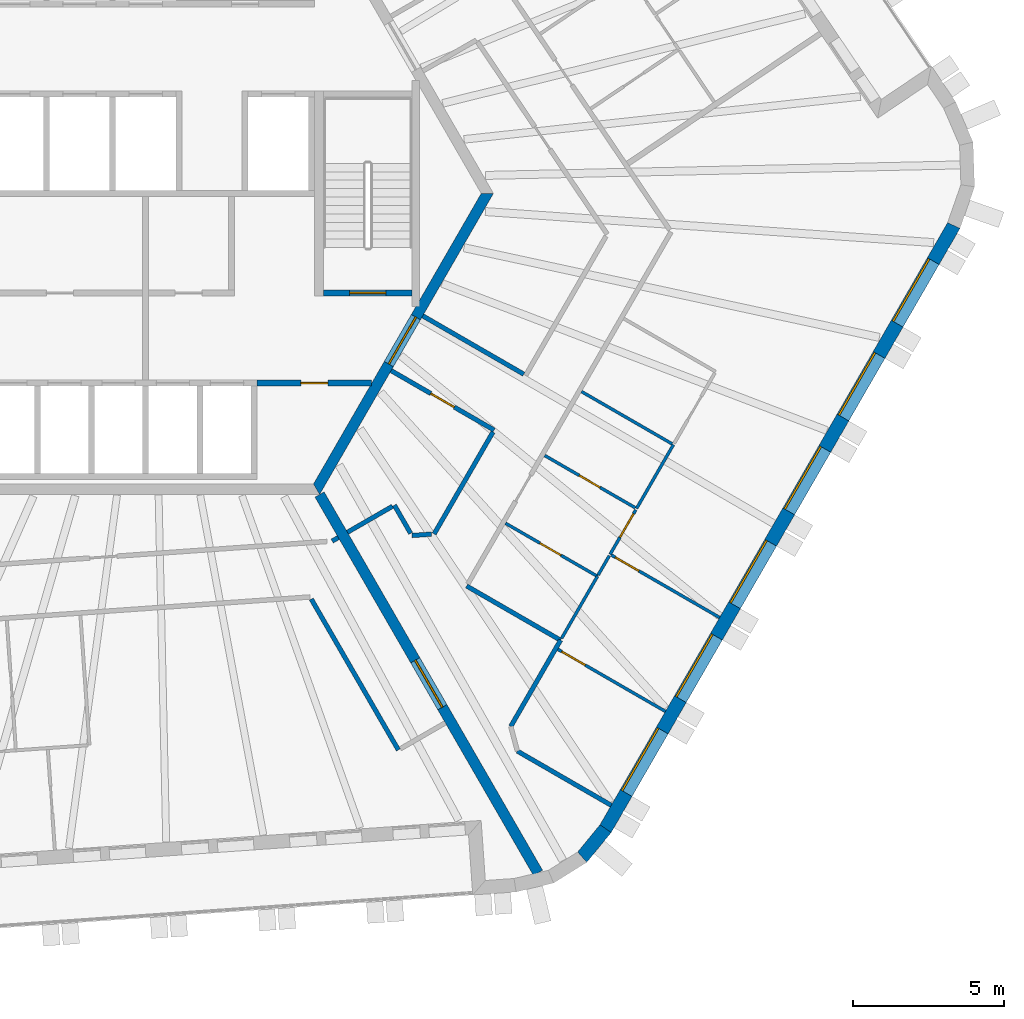
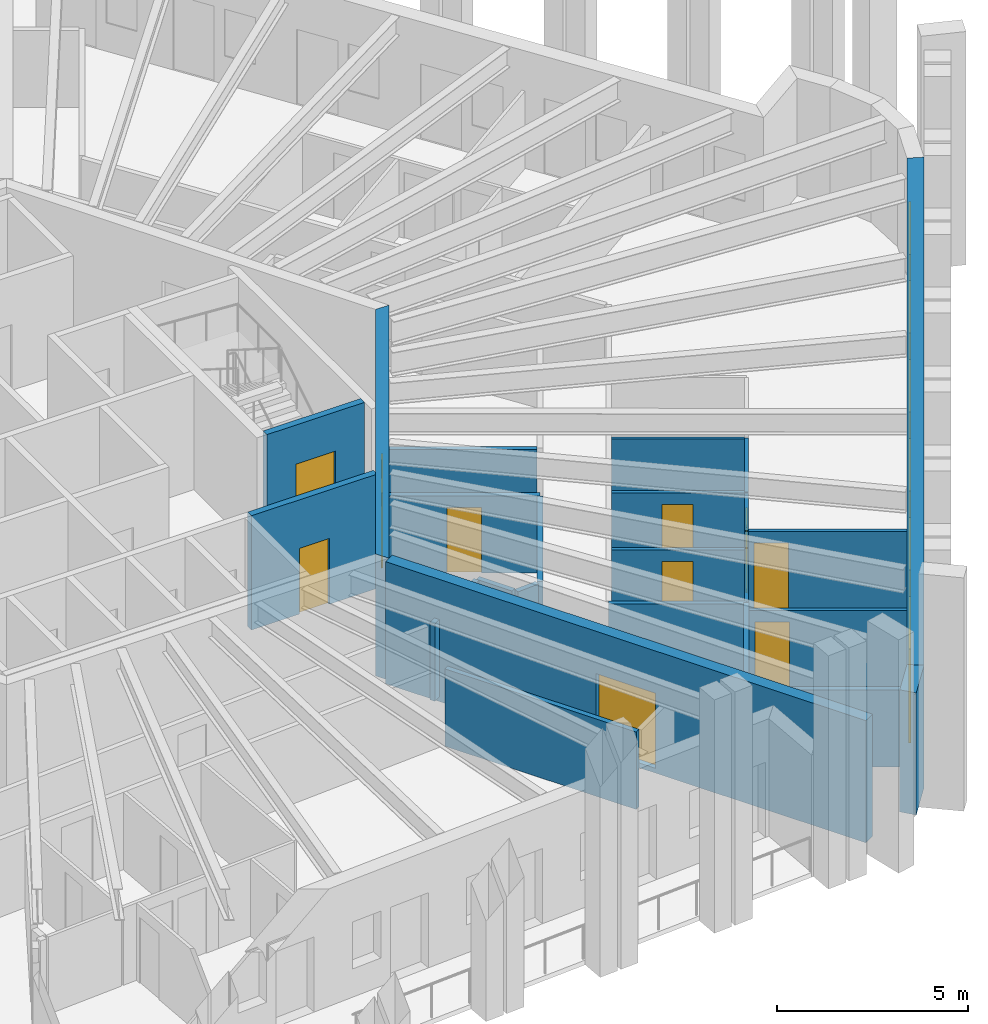
# One storey, part 6 of 12: 26 walls, 10 doors, 6 windows, 16 openings.
"""IFC4 building model written with IfcOpenShell, lengths in metres."""

from ifc_helpers import new_model, si_unit, direction, frame, frame_2d, origin, place, context, subcontext, project, spatial, polyline, rectangle, outline, extrude, material, layer, layer_set, type_object, element, fill, save


model = new_model("IFC4")

# Units and contexts
model_context = context("Model", 3, precision=1e-05, world=origin(), true_north=direction((0.0, 1.0)))
body_context = subcontext(model_context, "Body", "Model", "MODEL_VIEW")
ifc_project = project(units=[si_unit("LENGTHUNIT", "METRE"), si_unit("AREAUNIT", "SQUARE_METRE"), si_unit("VOLUMEUNIT", "CUBIC_METRE"), si_unit("PLANEANGLEUNIT", "RADIAN"), si_unit("MASSUNIT", "GRAM", prefix="KILO")], contexts=[model_context])

# Site, building, storey
site_placement = place(None, origin())
site = spatial("IfcSite", under=ifc_project, at=site_placement, CompositionType="ELEMENT")
building_placement = place(site_placement, origin())
building = spatial("IfcBuilding", under=site, at=building_placement, Name="Tarnside Tower", CompositionType="ELEMENT")
storey_placement = place(building_placement, frame((0.0, 0.0, 369.0)))
storey = spatial("IfcBuildingStorey", under=building, at=storey_placement, Name="L89", CompositionType="ELEMENT", Elevation=369.0)

# Wall
ifc_material_1 = material(Name="Gypsum board partition on steel studs", Category="steel")
ifc_layer_1 = layer(ifc_material_1, 0.10009765625)
ifc_layer_set_1 = layer_set([ifc_layer_1], Name="Bathroom wall 100")
wall_type_1 = type_object("IfcWallType", Name="Bathroom wall 100", PredefinedType="PARTITIONING", material=ifc_layer_set_1)
wall_1_placement = place(storey_placement, frame((17.526611328125, -8.343017578125, 0.0), z_axis=(0.0, 0.0, 1.0), x_axis=(-0.500018594424, -0.866014668023, 0.0)))
element("IfcWall", 1, at=wall_1_placement, inside=storey, type_object=wall_type_1, Name="Bathroom wall 29133", PredefinedType="PARTITIONING", context=body_context, shape_type="SweptSolid", body=[
    extrude(rectangle(XDim=2.4501953125, YDim=0.10009765625, at=frame_2d((1.22509765625, 0.0))), origin(), (0.0, 0.0, 1.0), 2.469970703125),
])

# Wall, opening, door
wall_2_placement = place(storey_placement, frame((11.948974609375, -10.953857421875, 0.0), z_axis=(0.0, 0.0, 1.0), x_axis=(0.866001044215, -0.500042189638, 0.0)))
wall_2 = element("IfcWall", 2, at=wall_2_placement, inside=storey, type_object=wall_type_1, Name="Bathroom wall 29138", PredefinedType="PARTITIONING", context=body_context, shape_type="SweptSolid", body=[
    extrude(rectangle(XDim=3.525146484375, YDim=0.10009765625, at=frame_2d((1.7626953125, 0.0))), origin(), (0.0, 0.0, 1.0), 2.469970703125),
])
opening_1_placement = place(wall_2_placement, frame((1.324951171875, 0.0, 0.0)))
opening_1 = element("IfcOpeningElement", 3, at=opening_1_placement, cuts=wall_2, Name="Opening D-B1", PredefinedType="OPENING", context=body_context, shape_type="SweptSolid", body=[
    extrude(rectangle(XDim=0.800048828125, YDim=2.10009765625, at=frame_2d((0.39990234375, 1.050048828125))), frame((0.0, 0.06005859375, 0.0), z_axis=(0.0, -1.0, 0.0), x_axis=(1.0, 0.0, 0.0)), (0.0, 0.0, 1.0), 0.1201171875),
])
ifc_material_2 = material(Name="Timber door leaf", Category="wood")
door_type_1 = type_object("IfcDoorType", Name="Bathroom door 800", OperationType="NOTDEFINED", PredefinedType="DOOR", material=ifc_material_2)
door_1_placement = place(opening_1_placement, origin())
door_1 = element("IfcDoor", 4, at=door_1_placement, inside=storey, type_object=door_type_1, Name="Bathroom door 29042", OperationType="SINGLE_SWING_RIGHT", OverallHeight=2.10009765625, OverallWidth=0.800048828125, PredefinedType="DOOR", context=body_context, shape_type="SweptSolid", body=[
    extrude(rectangle(XDim=0.800048828125, YDim=2.10009765625, at=frame_2d((0.39990234375, 1.050048828125))), frame((0.0, 0.02490234375, 0.0), z_axis=(0.0, -1.0, 0.0), x_axis=(1.0, 0.0, 0.0)), (0.0, 0.0, 1.0), 0.050048828125),
])
fill(opening_1, door_1)

wall_3_placement = place(storey_placement, frame((16.25830078125, -10.439697265625, 0.0), z_axis=(0.0, 0.0, 1.0), x_axis=(-0.866055725969, 0.499947476758, 0.0)))
wall_3 = element("IfcWall", 5, at=wall_3_placement, inside=storey, type_object=wall_type_1, Name="Bathroom wall 29140", PredefinedType="PARTITIONING", context=body_context, shape_type="SweptSolid", body=[
    extrude(rectangle(XDim=3.474853515625, YDim=0.10009765625, at=frame_2d((1.7373046875, 0.0))), origin(), (0.0, 0.0, 1.0), 2.469970703125),
])
opening_2_placement = place(wall_3_placement, frame((1.35009765625, 0.0, 0.0)))
opening_2 = element("IfcOpeningElement", 6, at=opening_2_placement, cuts=wall_3, Name="Opening D-B1", PredefinedType="OPENING", context=body_context, shape_type="SweptSolid", body=[
    extrude(rectangle(XDim=0.800048828125, YDim=2.10009765625, at=frame_2d((0.39990234375, 1.050048828125))), frame((0.0, 0.06005859375, 0.0), z_axis=(0.0, -1.0, 0.0), x_axis=(1.0, 0.0, 0.0)), (0.0, 0.0, 1.0), 0.1201171875),
])
door_2_placement = place(opening_2_placement, origin())
door_2 = element("IfcDoor", 7, at=door_2_placement, inside=storey, type_object=door_type_1, Name="Bathroom door 29048", OperationType="SINGLE_SWING_LEFT", OverallHeight=2.10009765625, OverallWidth=0.800048828125, PredefinedType="DOOR", context=body_context, shape_type="SweptSolid", body=[
    extrude(rectangle(XDim=0.800048828125, YDim=2.10009765625, at=frame_2d((0.39990234375, 1.050048828125))), frame((0.0, 0.02490234375, 0.0), z_axis=(0.0, -1.0, 0.0), x_axis=(1.0, 0.0, 0.0)), (0.0, 0.0, 1.0), 0.050048828125),
])
fill(opening_2, door_2)

# Walls
wall_4_placement = place(storey_placement, frame((13.81298828125, -14.77490234375, 0.0), z_axis=(0.0, 0.0, 1.0), x_axis=(0.500101476366, 0.86596680845, 0.0)))
element("IfcWall", 8, at=wall_4_placement, inside=storey, type_object=wall_type_1, Name="Bathroom wall 29141", PredefinedType="PARTITIONING", context=body_context, shape_type="SweptSolid", body=[
    extrude(rectangle(XDim=2.37890625, YDim=0.10009765625, at=frame_2d((1.189453125, 0.0))), origin(), (0.0, 0.0, 1.0), 2.469970703125),
])
wall_5_placement = place(storey_placement, frame((17.4833984375, -8.318115234375, 0.0), z_axis=(0.0, 0.0, 1.0), x_axis=(-0.866025305473, 0.500000170281, 0.0)))
element("IfcWall", 9, at=wall_5_placement, inside=storey, type_object=wall_type_1, Name="Bathroom wall 29143", PredefinedType="PARTITIONING", context=body_context, shape_type="SweptSolid", body=[
    extrude(rectangle(XDim=3.47509765625, YDim=0.10009765625, at=frame_2d((1.737548828125, 0.0))), origin(), (0.0, 0.0, 1.0), 2.469970703125),
])

# Wall, opening, door
ifc_material_3 = material(Name="Concrete C40/50", Category="concrete")
ifc_layer_2 = layer(ifc_material_3, 0.199951171875)
ifc_layer_set_2 = layer_set([ifc_layer_2], Name="Core room partition 200 C40/50")
wall_type_2 = type_object("IfcWallType", Name="Core room partition 200 C40/50", PredefinedType="PARTITIONING", material=ifc_layer_set_2)
wall_6_placement = place(storey_placement, frame((3.699951171875, -6.300048828125, 0.0), z_axis=(0.0, 0.0, 1.0), x_axis=(1.0, 0.0, 0.0)))
wall_6 = element("IfcWall", 10, at=wall_6_placement, inside=storey, type_object=wall_type_2, Name="L89 core partition R4X", PredefinedType="PARTITIONING", context=body_context, shape_type="SweptSolid", body=[
    extrude(rectangle(XDim=3.8056640625, YDim=0.199951171875, at=frame_2d((1.90283203125, 0.0))), origin(), (0.0, 0.0, 1.0), 3.64990234375),
])
opening_3_placement = place(wall_6_placement, frame((1.452880859375, 0.0, 0.0)))
opening_3 = element("IfcOpeningElement", 11, at=opening_3_placement, cuts=wall_6, Name="Opening CD-room", PredefinedType="OPENING", context=body_context, shape_type="SweptSolid", body=[
    extrude(rectangle(XDim=0.89990234375, YDim=2.10009765625, at=frame_2d((0.449951171875, 1.050048828125))), frame((0.0, 0.10986328125, 0.0), z_axis=(0.0, -1.0, 0.0), x_axis=(1.0, 0.0, 0.0)), (0.0, 0.0, 1.0), 0.219970703125),
])
ifc_material_4 = material(Name="Steel fire door", Category="steel")
door_type_2 = type_object("IfcDoorType", Name="Room door FD60 900x2100", OperationType="NOTDEFINED", PredefinedType="DOOR", material=ifc_material_4)
door_3_placement = place(opening_3_placement, origin())
door_3 = element("IfcDoor", 12, at=door_3_placement, inside=storey, type_object=door_type_2, Name="L89 core room door RX", OperationType="SINGLE_SWING_LEFT", OverallHeight=2.10009765625, OverallWidth=0.89990234375, PredefinedType="DOOR", context=body_context, shape_type="SweptSolid", body=[
    extrude(rectangle(XDim=0.89990234375, YDim=2.10009765625, at=frame_2d((0.449951171875, 1.050048828125))), frame((0.0, 0.02490234375, 0.0), z_axis=(0.0, -1.0, 0.0), x_axis=(1.0, 0.0, 0.0)), (0.0, 0.0, 1.0), 0.050048828125),
])
fill(opening_3, door_3)

ifc_material_5 = material(Name="Concrete C50/60", Category="concrete")
ifc_layer_3 = layer(ifc_material_5, 0.35009765625)
ifc_layer_set_3 = layer_set([ifc_layer_3], Name="Core wall Z4 350 C50/60")
wall_type_3 = type_object("IfcWallType", Name="Core wall Z4 350 C50/60", PredefinedType="SHEAR", material=ifc_layer_set_3)
wall_7_placement = place(storey_placement, frame((5.672607421875, -9.824951171875, -0.14990234375), z_axis=(0.0, 0.0, 1.0), x_axis=(0.499995046907, 0.866028263435, 0.0)))
wall_7 = element("IfcWall", 13, at=wall_7_placement, inside=storey, type_object=wall_type_3, Name="L89 core wall face 5", PredefinedType="SHEAR", context=body_context, shape_type="SweptSolid", body=[
    extrude(outline(polyline([(-0.10107421875, -0.175048828125), (11.44580078125, -0.175048828125), (11.24365234375, 0.175048828125), (0.10107421875, 0.175048828125), (-0.10107421875, -0.175048828125)])), origin(), (0.0, 0.0, 1.0), 3.89990234375),
])
opening_4_placement = place(wall_7_placement, frame((4.80126953125, 0.0, 0.14990234375)))
opening_4 = element("IfcOpeningElement", 14, at=opening_4_placement, cuts=wall_7, Name="Opening CD-FFL", PredefinedType="OPENING", context=body_context, shape_type="SweptSolid", body=[
    extrude(rectangle(XDim=1.800048828125, YDim=2.39990234375, at=frame_2d((0.89990234375, 1.199951171875))), frame((0.0, 0.18505859375, 0.0), z_axis=(0.0, -1.0, 0.0), x_axis=(1.0, 0.0, 0.0)), (0.0, 0.0, 1.0), 0.3701171875),
])
door_type_3 = type_object("IfcDoorType", Name="Firefighting lobby double door FD60S 1800x2400", OperationType="NOTDEFINED", PredefinedType="DOOR", material=ifc_material_4)
door_4_placement = place(opening_4_placement, origin())
door_4 = element("IfcDoor", 15, at=door_4_placement, inside=storey, type_object=door_type_3, Name="L89 core door P4", OperationType="DOUBLE_DOOR_SINGLE_SWING", OverallHeight=2.39990234375, OverallWidth=1.800048828125, PredefinedType="DOOR", context=body_context, shape_type="SweptSolid", body=[
    extrude(rectangle(XDim=1.800048828125, YDim=2.39990234375, at=frame_2d((0.89990234375, 1.199951171875))), frame((0.0, 0.02490234375, 0.0), z_axis=(0.0, -1.0, 0.0), x_axis=(1.0, 0.0, 0.0)), (0.0, 0.0, 1.0), 0.050048828125),
])
fill(opening_4, door_4)

wall_8_placement = place(storey_placement, frame((5.7734375, -10.0, -0.14990234375), z_axis=(0.0, 0.0, 1.0), x_axis=(0.500007911273, -0.866020836161, 0.0)))
wall_8 = element("IfcWall", 16, at=wall_8_placement, inside=storey, type_object=wall_type_3, Name="L89 spine wall 3", PredefinedType="SHEAR", context=body_context, shape_type="SweptSolid", body=[
    extrude(rectangle(XDim=14.510498046875, YDim=0.35009765625, at=frame_2d((7.25537109375, 0.0))), origin(), (0.0, 0.0, 1.0), 3.89990234375),
])
opening_5_placement = place(wall_8_placement, frame((6.355224609375, 0.0, 0.14990234375)))
opening_5 = element("IfcOpeningElement", 17, at=opening_5_placement, cuts=wall_8, Name="Opening CD-SPN", PredefinedType="OPENING", context=body_context, shape_type="SweptSolid", body=[
    extrude(rectangle(XDim=1.800048828125, YDim=2.39990234375, at=frame_2d((0.89990234375, 1.199951171875))), frame((0.0, 0.18505859375, 0.0), z_axis=(0.0, -1.0, 0.0), x_axis=(1.0, 0.0, 0.0)), (0.0, 0.0, 1.0), 0.3701171875),
])
door_type_4 = type_object("IfcDoorType", Name="Spine passage double door FD60 1800x2400", OperationType="NOTDEFINED", PredefinedType="DOOR", material=ifc_material_4)
door_5_placement = place(opening_5_placement, origin())
door_5 = element("IfcDoor", 18, at=door_5_placement, inside=storey, type_object=door_type_4, Name="L89 spine passage door 3", OperationType="DOUBLE_DOOR_SINGLE_SWING", OverallHeight=2.39990234375, OverallWidth=1.800048828125, PredefinedType="DOOR", context=body_context, shape_type="SweptSolid", body=[
    extrude(rectangle(XDim=1.800048828125, YDim=2.39990234375, at=frame_2d((0.89990234375, 1.199951171875))), frame((0.0, 0.02490234375, 0.0), z_axis=(0.0, -1.0, 0.0), x_axis=(1.0, 0.0, 0.0)), (0.0, 0.0, 1.0), 0.050048828125),
])
fill(opening_5, door_5)

# Walls
ifc_layer_4 = layer(ifc_material_1, 0.14990234375)
ifc_layer_set_4 = layer_set([ifc_layer_4], Name="Corridor wall 150 EI 60")
wall_type_4 = type_object("IfcWallType", Name="Corridor wall 150 EI 60", PredefinedType="PARTITIONING", material=ifc_layer_set_4)
wall_9_placement = place(storey_placement, frame((5.498779296875, -13.474365234375, 0.0), z_axis=(0.0, 0.0, 1.0), x_axis=(0.500002592159, -0.866023907196, 0.0)))
element("IfcWall", 19, at=wall_9_placement, inside=storey, type_object=wall_type_4, Name="Corridor wall 29038", PredefinedType="PARTITIONING", context=body_context, shape_type="SweptSolid", body=[
    extrude(rectangle(XDim=5.78369140625, YDim=0.14990234375, at=frame_2d((2.891845703125, 0.0))), origin(), (0.0, 0.0, 1.0), 2.469970703125),
])
wall_10_placement = place(storey_placement, frame((6.396240234375, -11.4287109375, 0.0), z_axis=(0.0, 0.0, 1.0), x_axis=(-0.866254745882, -0.499602557277, 0.0)))
element("IfcWall", 20, at=wall_10_placement, inside=storey, type_object=wall_type_4, Name="Corridor wall 29047", PredefinedType="PARTITIONING", context=body_context, shape_type="SweptSolid", body=[
    extrude(rectangle(XDim=0.235107421875, YDim=0.14990234375, at=frame_2d((0.11767578125, 0.0))), origin(), (0.0, 0.0, 1.0), 2.469970703125),
])
wall_11_placement = place(storey_placement, frame((13.776611328125, -14.838134765625, 0.0), z_axis=(0.0, 0.0, 1.0), x_axis=(-0.866047807691, 0.499961193289, 0.0)))
element("IfcWall", 21, at=wall_11_placement, inside=storey, type_object=wall_type_4, Name="Corridor wall 29054", PredefinedType="PARTITIONING", context=body_context, shape_type="SweptSolid", body=[
    extrude(rectangle(XDim=3.599853515625, YDim=0.14990234375, at=frame_2d((1.7998046875, 0.0))), origin(), (0.0, 0.0, 1.0), 2.469970703125),
])
wall_12_placement = place(storey_placement, frame((12.12353515625, -17.701416015625, 0.0), z_axis=(0.0, 0.0, 1.0), x_axis=(0.500018282537, 0.866014848099, 0.0)))
element("IfcWall", 22, at=wall_12_placement, inside=storey, type_object=wall_type_4, Name="Corridor wall 29056", PredefinedType="PARTITIONING", context=body_context, shape_type="SweptSolid", body=[
    extrude(rectangle(XDim=3.31005859375, YDim=0.14990234375, at=frame_2d((1.655029296875, 0.0))), origin(), (0.0, 0.0, 1.0), 2.469970703125),
])
wall_13_placement = place(storey_placement, frame((15.460693359375, -20.3212890625, 0.0), z_axis=(0.0, 0.0, 1.0), x_axis=(-0.866030854095, 0.499990559667, 0.0)))
element("IfcWall", 23, at=wall_13_placement, inside=storey, type_object=wall_type_4, Name="Corridor wall 29058", PredefinedType="PARTITIONING", context=body_context, shape_type="SweptSolid", body=[
    extrude(rectangle(XDim=3.599609375, YDim=0.14990234375, at=frame_2d((1.7998046875, 0.0))), origin(), (0.0, 0.0, 1.0), 2.469970703125),
])
wall_14_placement = place(storey_placement, frame((12.555419921875, -6.003173828125, 0.0), z_axis=(0.0, 0.0, 1.0), x_axis=(-0.866016658288, 0.500015147339, 0.0)))
element("IfcWall", 24, at=wall_14_placement, inside=storey, type_object=wall_type_4, Name="Corridor wall 29071", PredefinedType="PARTITIONING", context=body_context, shape_type="SweptSolid", body=[
    extrude(rectangle(XDim=3.875, YDim=0.14990234375, at=frame_2d((1.9375, 0.0))), origin(), (0.0, 0.0, 1.0), 2.469970703125),
])

# Wall, opening, door
wall_15_placement = place(storey_placement, frame((8.149658203125, -5.88427734375, 0.0), z_axis=(0.0, 0.0, 1.0), x_axis=(0.866020906874, -0.500007788796, 0.0)))
wall_15 = element("IfcWall", 25, at=wall_15_placement, inside=storey, type_object=wall_type_4, Name="Corridor wall 29072", PredefinedType="PARTITIONING", context=body_context, shape_type="SweptSolid", body=[
    extrude(rectangle(XDim=3.9501953125, YDim=0.14990234375, at=frame_2d((1.97509765625, 0.0))), origin(), (0.0, 0.0, 1.0), 2.469970703125),
])
opening_6_placement = place(wall_15_placement, frame((1.52490234375, 0.0, 0.0)))
opening_6 = element("IfcOpeningElement", 26, at=opening_6_placement, cuts=wall_15, Name="Opening D-S1", PredefinedType="OPENING", context=body_context, shape_type="SweptSolid", body=[
    extrude(rectangle(XDim=0.89990234375, YDim=2.10009765625, at=frame_2d((0.449951171875, 1.050048828125))), frame((0.0, 0.0849609375, 0.0), z_axis=(0.0, -1.0, 0.0), x_axis=(1.0, 0.0, 0.0)), (0.0, 0.0, 1.0), 0.169921875),
])
door_type_5 = type_object("IfcDoorType", Name="Service room door 900 FD30S", OperationType="NOTDEFINED", PredefinedType="DOOR", material=ifc_material_2)
door_6_placement = place(opening_6_placement, origin())
door_6 = element("IfcDoor", 27, at=door_6_placement, inside=storey, type_object=door_type_5, Name="Service door 29062", OperationType="SINGLE_SWING_LEFT", OverallHeight=2.10009765625, OverallWidth=0.89990234375, PredefinedType="DOOR", context=body_context, shape_type="SweptSolid", body=[
    extrude(rectangle(XDim=0.89990234375, YDim=2.10009765625, at=frame_2d((0.449951171875, 1.050048828125))), frame((0.0, 0.02490234375, 0.0), z_axis=(0.0, -1.0, 0.0), x_axis=(1.0, 0.0, 0.0)), (0.0, 0.0, 1.0), 0.050048828125),
])
fill(opening_6, door_6)

# Walls
wall_16_placement = place(storey_placement, frame((11.532958984375, -7.92431640625, 0.0), z_axis=(0.0, 0.0, 1.0), x_axis=(-0.500001804394, -0.866024362014, 0.0)))
element("IfcWall", 28, at=wall_16_placement, inside=storey, type_object=wall_type_4, Name="Corridor wall 29073", PredefinedType="PARTITIONING", context=body_context, shape_type="SweptSolid", body=[
    extrude(rectangle(XDim=3.90869140625, YDim=0.14990234375, at=frame_2d((1.954345703125, 0.0))), origin(), (0.0, 0.0, 1.0), 2.469970703125),
])
wall_17_placement = place(storey_placement, frame((9.48828125, -11.315673828125, 0.0), z_axis=(0.0, 0.0, 1.0), x_axis=(-0.997556873667, -0.06985902805, 0.0)))
element("IfcWall", 29, at=wall_17_placement, inside=storey, type_object=wall_type_4, Name="Corridor wall 29074", PredefinedType="PARTITIONING", context=body_context, shape_type="SweptSolid", body=[
    extrude(rectangle(XDim=0.650146484375, YDim=0.14990234375, at=frame_2d((0.3251953125, 0.0))), origin(), (0.0, 0.0, 1.0), 2.469970703125),
])
wall_18_placement = place(storey_placement, frame((8.798095703125, -11.288818359375, 0.0), z_axis=(0.0, 0.0, 1.0), x_axis=(-0.499859449273, 0.866106535579, 0.0)))
element("IfcWall", 30, at=wall_18_placement, inside=storey, type_object=wall_type_4, Name="Corridor wall 29075", PredefinedType="PARTITIONING", context=body_context, shape_type="SweptSolid", body=[
    extrude(rectangle(XDim=1.079833984375, YDim=0.14990234375, at=frame_2d((0.5400390625, 0.0))), origin(), (0.0, 0.0, 1.0), 2.469970703125),
])
wall_19_placement = place(storey_placement, frame((8.193359375, -10.39111328125, 0.0), z_axis=(0.0, 0.0, 1.0), x_axis=(-0.866013532718, -0.500020560727, 0.0)))
element("IfcWall", 31, at=wall_19_placement, inside=storey, type_object=wall_type_4, Name="Corridor wall 29076", PredefinedType="PARTITIONING", context=body_context, shape_type="SweptSolid", body=[
    extrude(rectangle(XDim=1.72509765625, YDim=0.14990234375, at=frame_2d((0.862548828125, 0.0))), origin(), (0.0, 0.0, 1.0), 2.469970703125),
])

# Wall, opening, door
ifc_layer_5 = layer(ifc_material_3, 0.199951171875)
ifc_layer_set_5 = layer_set([ifc_layer_5], Name="Lift shaft wall 200 C40/50")
wall_type_5 = type_object("IfcWallType", Name="Lift shaft wall 200 C40/50", PredefinedType="SHEAR", material=ifc_layer_set_5)
wall_20_placement = place(storey_placement, frame((5.89990234375, -3.300048828125, -0.25), z_axis=(0.0, 0.0, 1.0), x_axis=(1.0, 0.0, 0.0)))
wall_20 = element("IfcWall", 32, at=wall_20_placement, inside=storey, type_object=wall_type_5, Name="L89 stair 1 enclosure cap wall s", PredefinedType="SHEAR", context=body_context, shape_type="SweptSolid", body=[
    extrude(rectangle(XDim=2.9501953125, YDim=0.199951171875, at=frame_2d((1.47509765625, 0.0))), origin(), (0.0, 0.0, 1.0), 3.89990234375),
])
opening_7_placement = place(wall_20_placement, frame((0.875, 0.0, 0.25)))
opening_7 = element("IfcOpeningElement", 33, at=opening_7_placement, cuts=wall_20, Name="Opening CD-STR", PredefinedType="OPENING", context=body_context, shape_type="SweptSolid", body=[
    extrude(rectangle(XDim=1.199951171875, YDim=2.39990234375, at=frame_2d((0.60009765625, 1.199951171875))), frame((0.0, 0.10986328125, 0.0), z_axis=(0.0, -1.0, 0.0), x_axis=(1.0, 0.0, 0.0)), (0.0, 0.0, 1.0), 0.219970703125),
])
door_type_6 = type_object("IfcDoorType", Name="Stair door FD60S 1200x2400", OperationType="NOTDEFINED", PredefinedType="DOOR", material=ifc_material_4)
door_7_placement = place(opening_7_placement, origin())
door_7 = element("IfcDoor", 34, at=door_7_placement, inside=storey, type_object=door_type_6, Name="L89 stair 1 door", OperationType="SINGLE_SWING_LEFT", OverallHeight=2.39990234375, OverallWidth=1.199951171875, PredefinedType="DOOR", context=body_context, shape_type="SweptSolid", body=[
    extrude(rectangle(XDim=1.199951171875, YDim=2.39990234375, at=frame_2d((0.60009765625, 1.199951171875))), frame((0.0, 0.02490234375, 0.0), z_axis=(0.0, -1.0, 0.0), x_axis=(1.0, 0.0, 0.0)), (0.0, 0.0, 1.0), 0.050048828125),
])
fill(opening_7, door_7)

ifc_layer_6 = layer(ifc_material_1, 0.10009765625)
ifc_layer_set_6 = layer_set([ifc_layer_6], Name="Partition 100")
wall_type_6 = type_object("IfcWallType", Name="Partition 100", PredefinedType="PARTITIONING", material=ifc_layer_set_6)
wall_21_placement = place(storey_placement, frame((16.276611328125, -10.508056640625, 0.0), z_axis=(0.0, 0.0, 1.0), x_axis=(-0.500027584368, -0.866009477356, 0.0)))
wall_21 = element("IfcWall", 35, at=wall_21_placement, inside=storey, type_object=wall_type_6, Name="Partition wall 29131", PredefinedType="PARTITIONING", context=body_context, shape_type="SweptSolid", body=[
    extrude(rectangle(XDim=1.70849609375, YDim=0.10009765625, at=frame_2d((0.854248046875, 0.0))), origin(), (0.0, 0.0, 1.0), 2.469970703125),
])
opening_8_placement = place(wall_21_placement, frame((0.14990234375, 0.0, 0.0)))
opening_8 = element("IfcOpeningElement", 36, at=opening_8_placement, cuts=wall_21, Name="Opening D-I1", PredefinedType="OPENING", context=body_context, shape_type="SweptSolid", body=[
    extrude(rectangle(XDim=0.89990234375, YDim=2.10009765625, at=frame_2d((0.449951171875, 1.050048828125))), frame((0.0, 0.06005859375, 0.0), z_axis=(0.0, -1.0, 0.0), x_axis=(1.0, 0.0, 0.0)), (0.0, 0.0, 1.0), 0.1201171875),
])
door_type_7 = type_object("IfcDoorType", Name="Internal door 900", OperationType="NOTDEFINED", PredefinedType="DOOR", material=ifc_material_2)
door_8_placement = place(opening_8_placement, origin())
door_8 = element("IfcDoor", 37, at=door_8_placement, inside=storey, type_object=door_type_7, Name="Internal door 29043", OperationType="SINGLE_SWING_RIGHT", OverallHeight=2.10009765625, OverallWidth=0.89990234375, PredefinedType="DOOR", context=body_context, shape_type="SweptSolid", body=[
    extrude(rectangle(XDim=0.89990234375, YDim=2.10009765625, at=frame_2d((0.449951171875, 1.050048828125))), frame((0.0, 0.02490234375, 0.0), z_axis=(0.0, -1.0, 0.0), x_axis=(1.0, 0.0, 0.0)), (0.0, 0.0, 1.0), 0.050048828125),
])
fill(opening_8, door_8)

wall_22_placement = place(storey_placement, frame((15.466796875, -12.010986328125, 0.0), z_axis=(0.0, 0.0, 1.0), x_axis=(0.86602981871, -0.499992353047, 0.0)))
wall_22 = element("IfcWall", 38, at=wall_22_placement, inside=storey, type_object=wall_type_6, Name="Partition wall 29132", PredefinedType="PARTITIONING", context=body_context, shape_type="SweptSolid", body=[
    extrude(rectangle(XDim=4.14990234375, YDim=0.10009765625, at=frame_2d((2.074951171875, 0.0))), origin(), (0.0, 0.0, 1.0), 2.469970703125),
])
opening_9_placement = place(wall_22_placement, frame((0.14990234375, 0.0, 0.0)))
opening_9 = element("IfcOpeningElement", 39, at=opening_9_placement, cuts=wall_22, Name="Opening D-I1", PredefinedType="OPENING", context=body_context, shape_type="SweptSolid", body=[
    extrude(rectangle(XDim=0.89990234375, YDim=2.10009765625, at=frame_2d((0.449951171875, 1.050048828125))), frame((0.0, 0.06005859375, 0.0), z_axis=(0.0, -1.0, 0.0), x_axis=(1.0, 0.0, 0.0)), (0.0, 0.0, 1.0), 0.1201171875),
])
door_9_placement = place(opening_9_placement, origin())
door_9 = element("IfcDoor", 40, at=door_9_placement, inside=storey, type_object=door_type_7, Name="Internal door 29047", OperationType="SINGLE_SWING_RIGHT", OverallHeight=2.10009765625, OverallWidth=0.89990234375, PredefinedType="DOOR", context=body_context, shape_type="SweptSolid", body=[
    extrude(rectangle(XDim=0.89990234375, YDim=2.10009765625, at=frame_2d((0.449951171875, 1.050048828125))), frame((0.0, 0.02490234375, 0.0), z_axis=(0.0, -1.0, 0.0), x_axis=(1.0, 0.0, 0.0)), (0.0, 0.0, 1.0), 0.050048828125),
])
fill(opening_9, door_9)

# Wall
wall_23_placement = place(storey_placement, frame((15.025634765625, -12.6748046875, 0.0), z_axis=(0.0, 0.0, 1.0), x_axis=(0.500119347963, 0.86595648724, 0.0)))
element("IfcWall", 41, at=wall_23_placement, inside=storey, type_object=wall_type_6, Name="Partition wall 29139", PredefinedType="PARTITIONING", context=body_context, shape_type="SweptSolid", body=[
    extrude(rectangle(XDim=0.745361328125, YDim=0.10009765625, at=frame_2d((0.37255859375, 0.0))), origin(), (0.0, 0.0, 1.0), 2.469970703125),
])

# Wall, opening, door
wall_24_placement = place(storey_placement, frame((17.2607421875, -17.20361328125, 0.0), z_axis=(0.0, 0.0, 1.0), x_axis=(-0.866034795751, 0.499983732284, 0.0)))
wall_24 = element("IfcWall", 42, at=wall_24_placement, inside=storey, type_object=wall_type_6, Name="Partition wall 29142", PredefinedType="PARTITIONING", context=body_context, shape_type="SweptSolid", body=[
    extrude(rectangle(XDim=4.125244140625, YDim=0.10009765625, at=frame_2d((2.0625, 0.0))), origin(), (0.0, 0.0, 1.0), 2.469970703125),
])
opening_10_placement = place(wall_24_placement, frame((3.074951171875, 0.0, 0.0)))
opening_10 = element("IfcOpeningElement", 43, at=opening_10_placement, cuts=wall_24, Name="Opening D-I1", PredefinedType="OPENING", context=body_context, shape_type="SweptSolid", body=[
    extrude(rectangle(XDim=0.89990234375, YDim=2.10009765625, at=frame_2d((0.449951171875, 1.050048828125))), frame((0.0, 0.06005859375, 0.0), z_axis=(0.0, -1.0, 0.0), x_axis=(1.0, 0.0, 0.0)), (0.0, 0.0, 1.0), 0.1201171875),
])
door_10_placement = place(opening_10_placement, origin())
door_10 = element("IfcDoor", 44, at=door_10_placement, inside=storey, type_object=door_type_7, Name="Internal door 29046", OperationType="SINGLE_SWING_RIGHT", OverallHeight=2.10009765625, OverallWidth=0.89990234375, PredefinedType="DOOR", context=body_context, shape_type="SweptSolid", body=[
    extrude(rectangle(XDim=0.89990234375, YDim=2.10009765625, at=frame_2d((0.449951171875, 1.050048828125))), frame((0.0, 0.02490234375, 0.0), z_axis=(0.0, -1.0, 0.0), x_axis=(1.0, 0.0, 0.0)), (0.0, 0.0, 1.0), 0.050048828125),
])
fill(opening_10, door_10)

# Wall
ifc_material_6 = material(Name="Facing brick", Category="masonry")
ifc_layer_7 = layer(ifc_material_6, 0.10205078125)
ifc_material_7 = material(Name="Concrete C60/75 precast", Category="concrete")
ifc_layer_8 = layer(ifc_material_7, 0.248046875)
ifc_material_8 = material(Name="Mineral wool insulation")
ifc_layer_9 = layer(ifc_material_8, 0.10009765625)
ifc_layer_set_7 = layer_set([ifc_layer_7, ifc_layer_8, ifc_layer_9], Name="Tube wall 450 brick faced")
wall_type_7 = type_object("IfcWallType", Name="Tube wall 450 brick faced", PredefinedType="SOLIDWALL", material=ifc_layer_set_7)
wall_25_placement = place(storey_placement, frame((14.49658203125, -22.0439453125, -0.14990234375), z_axis=(0.0, 0.0, 1.0), x_axis=(0.633867343651, 0.773441782329, 0.0)))
element("IfcWall", 45, at=wall_25_placement, inside=storey, type_object=wall_type_7, Name="Tube wall L89 F4 chord 23", PredefinedType="SOLIDWALL", context=body_context, shape_type="SweptSolid", body=[
    extrude(outline(polyline([(-0.036865234375, -0.22509765625), (1.24267578125, -0.22509765625), (1.2060546875, 0.22509765625), (0.036865234375, 0.22509765625), (-0.036865234375, -0.22509765625)])), origin(), (0.0, 0.0, 1.0), 3.89990234375),
])

# Wall, openings, windows
wall_26_placement = place(storey_placement, frame((15.272705078125, -21.096923828125, -0.14990234375), z_axis=(0.0, 0.0, 1.0), x_axis=(0.499997453958, 0.866026873738, 0.0)))
wall_26 = element("IfcWall", 46, at=wall_26_placement, inside=storey, type_object=wall_type_7, Name="Tube wall L89 F5 flush 24", PredefinedType="SOLIDWALL", context=body_context, shape_type="SweptSolid", body=[
    extrude(outline(polyline([(-0.018310546875, -0.22509765625), (23.15234375, -0.22509765625), (23.1103515625, 0.22509765625), (0.018310546875, 0.22509765625), (-0.018310546875, -0.22509765625)])), origin(), (0.0, 0.0, 1.0), 3.89990234375),
])
opening_11_placement = place(wall_26_placement, frame((1.36572265625, 0.0, 0.449951171875)))
opening_11 = element("IfcOpeningElement", 47, at=opening_11_placement, cuts=wall_26, Name="Opening WP", PredefinedType="OPENING", context=body_context, shape_type="SweptSolid", body=[
    extrude(rectangle(XDim=2.39990234375, YDim=3.0, at=frame_2d((1.199951171875, 1.5))), frame((0.0, 0.23486328125, 0.0), z_axis=(0.0, -1.0, 0.0), x_axis=(1.0, 0.0, 0.0)), (0.0, 0.0, 1.0), 0.469970703125),
])
opening_12_placement = place(wall_26_placement, frame((4.9658203125, 0.0, 0.449951171875)))
opening_12 = element("IfcOpeningElement", 48, at=opening_12_placement, cuts=wall_26, Name="Opening WP", PredefinedType="OPENING", context=body_context, shape_type="SweptSolid", body=[
    extrude(rectangle(XDim=2.39990234375, YDim=3.0, at=frame_2d((1.199951171875, 1.5))), frame((0.0, 0.23486328125, 0.0), z_axis=(0.0, -1.0, 0.0), x_axis=(1.0, 0.0, 0.0)), (0.0, 0.0, 1.0), 0.469970703125),
])
opening_13_placement = place(wall_26_placement, frame((8.56591796875, 0.0, 0.449951171875)))
opening_13 = element("IfcOpeningElement", 49, at=opening_13_placement, cuts=wall_26, Name="Opening WP", PredefinedType="OPENING", context=body_context, shape_type="SweptSolid", body=[
    extrude(rectangle(XDim=2.39990234375, YDim=3.0, at=frame_2d((1.199951171875, 1.5))), frame((0.0, 0.23486328125, 0.0), z_axis=(0.0, -1.0, 0.0), x_axis=(1.0, 0.0, 0.0)), (0.0, 0.0, 1.0), 0.469970703125),
])
opening_14_placement = place(wall_26_placement, frame((12.165771484375, 0.0, 0.449951171875)))
opening_14 = element("IfcOpeningElement", 50, at=opening_14_placement, cuts=wall_26, Name="Opening WP", PredefinedType="OPENING", context=body_context, shape_type="SweptSolid", body=[
    extrude(rectangle(XDim=2.39990234375, YDim=3.0, at=frame_2d((1.199951171875, 1.5))), frame((0.0, 0.23486328125, 0.0), z_axis=(0.0, -1.0, 0.0), x_axis=(1.0, 0.0, 0.0)), (0.0, 0.0, 1.0), 0.469970703125),
])
opening_15_placement = place(wall_26_placement, frame((15.765869140625, 0.0, 0.449951171875)))
opening_15 = element("IfcOpeningElement", 51, at=opening_15_placement, cuts=wall_26, Name="Opening WP", PredefinedType="OPENING", context=body_context, shape_type="SweptSolid", body=[
    extrude(rectangle(XDim=2.39990234375, YDim=3.0, at=frame_2d((1.199951171875, 1.5))), frame((0.0, 0.23486328125, 0.0), z_axis=(0.0, -1.0, 0.0), x_axis=(1.0, 0.0, 0.0)), (0.0, 0.0, 1.0), 0.469970703125),
])
opening_16_placement = place(wall_26_placement, frame((19.36572265625, 0.0, 0.449951171875)))
opening_16 = element("IfcOpeningElement", 52, at=opening_16_placement, cuts=wall_26, Name="Opening WP", PredefinedType="OPENING", context=body_context, shape_type="SweptSolid", body=[
    extrude(rectangle(XDim=2.39990234375, YDim=3.0, at=frame_2d((1.199951171875, 1.5))), frame((0.0, 0.23486328125, 0.0), z_axis=(0.0, -1.0, 0.0), x_axis=(1.0, 0.0, 0.0)), (0.0, 0.0, 1.0), 0.469970703125),
])
ifc_material_9 = material(Name="Aluminium-framed double glazing", Category="aluminium")
window_type = type_object("IfcWindowType", Name="Penthouse window 2400 x 3000", PartitioningType="DOUBLE_PANEL_VERTICAL", PredefinedType="WINDOW", material=ifc_material_9)
window_1_placement = place(opening_11_placement, frame((0.0, 0.1552734375, 0.0)))
window_1 = element("IfcWindow", 53, at=window_1_placement, inside=storey, type_object=window_type, Name="E.WN.L89.F5.00", OverallHeight=3.0, OverallWidth=2.39990234375, PartitioningType="DOUBLE_PANEL_VERTICAL", PredefinedType="WINDOW", context=body_context, shape_type="SweptSolid", body=[
    extrude(rectangle(XDim=2.39990234375, YDim=3.0, at=frame_2d((1.199951171875, 1.5))), frame((0.0, 0.030029296875, 0.0), z_axis=(0.0, -1.0, 0.0), x_axis=(1.0, 0.0, 0.0)), (0.0, 0.0, 1.0), 0.06005859375),
])
fill(opening_11, window_1)
window_2_placement = place(opening_12_placement, frame((0.0, 0.1552734375, 0.0)))
window_2 = element("IfcWindow", 54, at=window_2_placement, inside=storey, type_object=window_type, Name="E.WN.L89.F5.01", OverallHeight=3.0, OverallWidth=2.39990234375, PartitioningType="DOUBLE_PANEL_VERTICAL", PredefinedType="WINDOW", context=body_context, shape_type="SweptSolid", body=[
    extrude(rectangle(XDim=2.39990234375, YDim=3.0, at=frame_2d((1.199951171875, 1.5))), frame((0.0, 0.030029296875, 0.0), z_axis=(0.0, -1.0, 0.0), x_axis=(1.0, 0.0, 0.0)), (0.0, 0.0, 1.0), 0.06005859375),
])
fill(opening_12, window_2)
window_3_placement = place(opening_13_placement, frame((0.0, 0.1552734375, 0.0)))
window_3 = element("IfcWindow", 55, at=window_3_placement, inside=storey, type_object=window_type, Name="E.WN.L89.F5.02", OverallHeight=3.0, OverallWidth=2.39990234375, PartitioningType="DOUBLE_PANEL_VERTICAL", PredefinedType="WINDOW", context=body_context, shape_type="SweptSolid", body=[
    extrude(rectangle(XDim=2.39990234375, YDim=3.0, at=frame_2d((1.199951171875, 1.5))), frame((0.0, 0.030029296875, 0.0), z_axis=(0.0, -1.0, 0.0), x_axis=(1.0, 0.0, 0.0)), (0.0, 0.0, 1.0), 0.06005859375),
])
fill(opening_13, window_3)
window_4_placement = place(opening_14_placement, frame((0.0, 0.1552734375, 0.0)))
window_4 = element("IfcWindow", 56, at=window_4_placement, inside=storey, type_object=window_type, Name="E.WN.L89.F5.03", OverallHeight=3.0, OverallWidth=2.39990234375, PartitioningType="DOUBLE_PANEL_VERTICAL", PredefinedType="WINDOW", context=body_context, shape_type="SweptSolid", body=[
    extrude(rectangle(XDim=2.39990234375, YDim=3.0, at=frame_2d((1.199951171875, 1.5))), frame((0.0, 0.030029296875, 0.0), z_axis=(0.0, -1.0, 0.0), x_axis=(1.0, 0.0, 0.0)), (0.0, 0.0, 1.0), 0.06005859375),
])
fill(opening_14, window_4)
window_5_placement = place(opening_15_placement, frame((0.0, 0.1552734375, 0.0)))
window_5 = element("IfcWindow", 57, at=window_5_placement, inside=storey, type_object=window_type, Name="E.WN.L89.F5.04", OverallHeight=3.0, OverallWidth=2.39990234375, PartitioningType="DOUBLE_PANEL_VERTICAL", PredefinedType="WINDOW", context=body_context, shape_type="SweptSolid", body=[
    extrude(rectangle(XDim=2.39990234375, YDim=3.0, at=frame_2d((1.199951171875, 1.5))), frame((0.0, 0.030029296875, 0.0), z_axis=(0.0, -1.0, 0.0), x_axis=(1.0, 0.0, 0.0)), (0.0, 0.0, 1.0), 0.06005859375),
])
fill(opening_15, window_5)
window_6_placement = place(opening_16_placement, frame((0.0, 0.1552734375, 0.0)))
window_6 = element("IfcWindow", 58, at=window_6_placement, inside=storey, type_object=window_type, Name="E.WN.L89.F5.05", OverallHeight=3.0, OverallWidth=2.39990234375, PartitioningType="DOUBLE_PANEL_VERTICAL", PredefinedType="WINDOW", context=body_context, shape_type="SweptSolid", body=[
    extrude(rectangle(XDim=2.39990234375, YDim=3.0, at=frame_2d((1.199951171875, 1.5))), frame((0.0, 0.030029296875, 0.0), z_axis=(0.0, -1.0, 0.0), x_axis=(1.0, 0.0, 0.0)), (0.0, 0.0, 1.0), 0.06005859375),
])
fill(opening_16, window_6)

save(model, "model.ifc")
